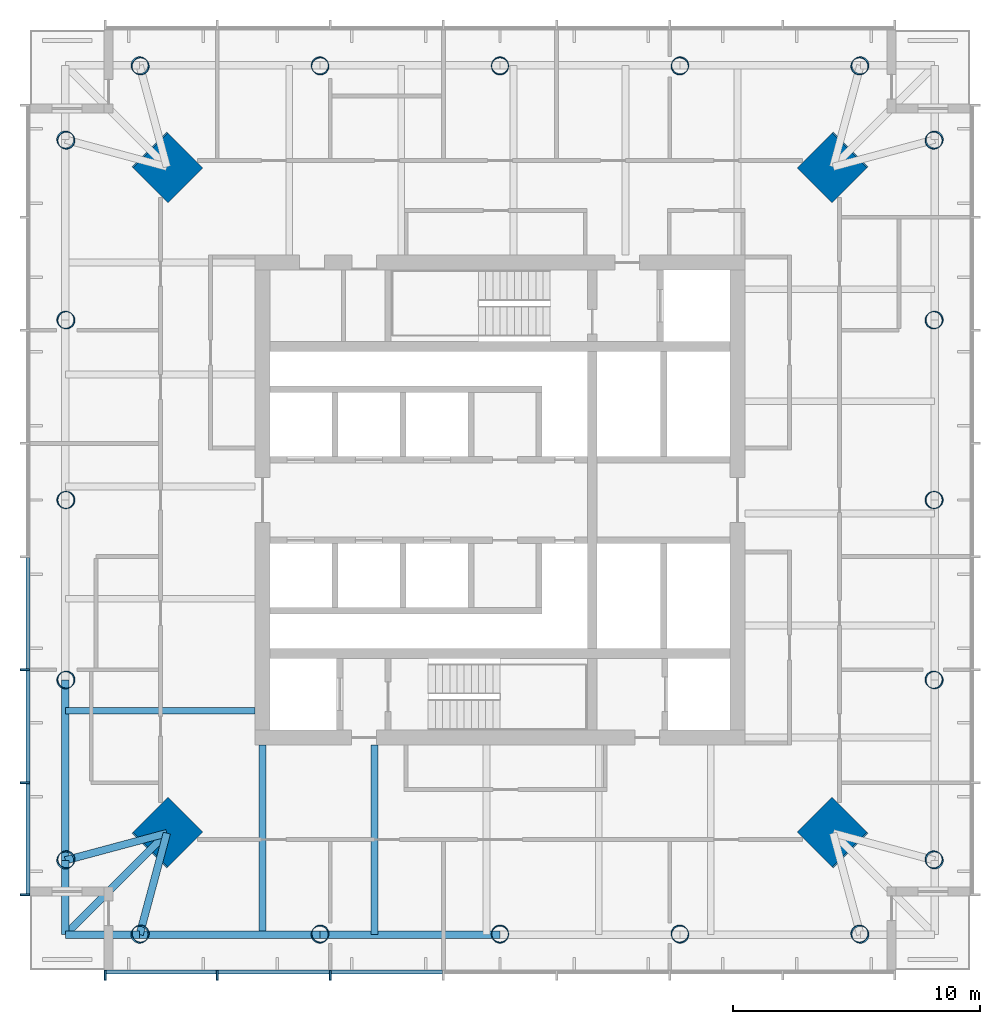
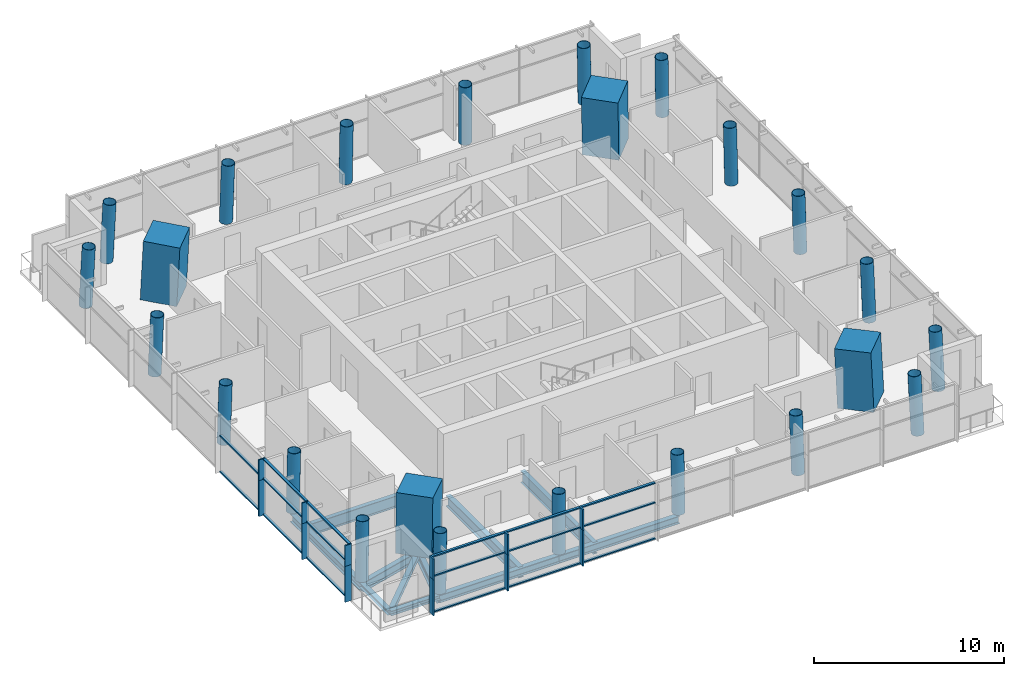
# One storey, part 1 of 10: 29 members, 24 columns, 11 beams, 4 elements without a shape of their own.
"""IFC4 building model written with IfcOpenShell, lengths in metres."""

from ifc_helpers import new_model, si_unit, direction, frame, origin, origin_2d, place, context, subcontext, project, spatial, rectangle, hollow_circle, i_section, extrude, material, material_profile, profile_set, type_object, element, aggregate, save


model = new_model("IFC4")

# Units and contexts
model_context = context("Model", 3, precision=1e-05, world=origin(), true_north=direction((0.0, 1.0)))
body_context = subcontext(model_context, "Body", "Model", "MODEL_VIEW")
ifc_project = project(units=[si_unit("LENGTHUNIT", "METRE"), si_unit("AREAUNIT", "SQUARE_METRE"), si_unit("VOLUMEUNIT", "CUBIC_METRE"), si_unit("PLANEANGLEUNIT", "RADIAN"), si_unit("MASSUNIT", "GRAM", prefix="KILO")], contexts=[model_context])

# Site, building, storey
site_placement = place(None, origin())
site = spatial("IfcSite", under=ifc_project, at=site_placement, CompositionType="ELEMENT")
building_placement = place(site_placement, origin())
building = spatial("IfcBuilding", under=site, at=building_placement, Name="Ostroluk Exchange", CompositionType="ELEMENT")
storey_placement = place(building_placement, frame((0.0, 0.0, 222.39990234375)))
storey = spatial("IfcBuildingStorey", under=building, at=storey_placement, Name="L57", CompositionType="ELEMENT", Elevation=222.39990234375)

# Columns
ifc_material_1 = material(Name="Concrete C50/60", Category="concrete")
ifc_material_profile_1 = material_profile(ifc_material_1, rectangle(XDim=2.0, YDim=2.0, at=origin_2d()), Name="RC 2000x2000")
ifc_profile_set_1 = profile_set([ifc_material_profile_1], Name="Concrete C50/60")
column_type_1 = type_object("IfcColumnType", Name="Mega column RC 2000x2000", PredefinedType="COLUMN", material=ifc_profile_set_1)
for number, where, z_axis, x_axis, name in (
    (1, (58.46435546875, 59.46435546875, 0.0), (-0.031962158256, -0.031962158256, 0.998977898093), (0.707106781187, -0.707106781187, 0.0), "T1 mega column NE"),
    (2, (31.53564453125, 59.46435546875, 0.0), (0.031962158256, -0.031962158256, 0.998977898093), (0.707106781187, 0.707106781187, 0.0), "T1 mega column NW"),
    (3, (31.53564453125, 32.53564453125, 0.0), (0.031962158256, 0.031962158256, 0.998977898093), (-0.707106781187, 0.707106781187, 0.0), "T1 mega column SW"),
    (4, (58.46435546875, 32.53564453125, 0.0), (-0.031962158256, 0.031962158256, 0.998977898093), (-0.707106781187, -0.707106781187, 0.0), "T1 mega column SE"),
):
    element("IfcColumn", number, at=place(storey_placement, frame(where, z_axis=z_axis, x_axis=x_axis)), inside=storey, type_object=column_type_1, Name=name, PredefinedType="COLUMN", context=body_context, shape_type="SweptSolid", body=[
        extrude(rectangle(XDim=2.0, YDim=2.0, at=origin_2d()), origin(), (0.0, 0.0, 1.0), 3.803955078125),
    ])
ifc_material_2 = material(Name="Steel S460", Category="steel")
ifc_material_profile_2 = material_profile(ifc_material_2, hollow_circle(Radius=0.35546875, WallThickness=0.02490234375, at=origin_2d()), Name="CHS 711x25")
ifc_profile_set_2 = profile_set([ifc_material_profile_2], Name="Steel S460")
column_type_2 = type_object("IfcColumnType", Name="Perimeter column CHS 711x25", PredefinedType="COLUMN", material=ifc_profile_set_2)
for number, where, z_axis, x_axis, name in (
    (5, (62.564208984375, 31.435791015625, 0.0), (-0.031898107953, 0.031898107953, 0.998981992539), (-0.707106781187, -0.707106781187, 0.0), "T1 east face column E0"),
    (6, (62.564208984375, 60.564208984375, 0.0), (-0.031898107953, -0.031898107953, 0.998981992539), (0.707106781187, -0.707106781187, 0.0), "T1 east face column E1"),
):
    element("IfcColumn", number, at=place(storey_placement, frame(where, z_axis=z_axis, x_axis=x_axis)), inside=storey, type_object=column_type_2, Name=name, PredefinedType="COLUMN", context=body_context, shape_type="SweptSolid", body=[
        extrude(hollow_circle(Radius=0.35546875, WallThickness=0.02490234375, at=origin_2d()), origin(), (0.0, 0.0, 1.0), 3.803955078125),
    ])
column_1_placement = place(storey_placement, frame((62.564208984375, 38.7177734375, 0.0), z_axis=(-0.031910269556, 0.015987237665, 0.999362868496), x_axis=(-0.447933021895, -0.894067115991, 0.0)))
element("IfcColumn", 7, at=column_1_placement, inside=storey, type_object=column_type_2, Name="T1 east face column I1", PredefinedType="COLUMN", context=body_context, shape_type="SweptSolid", body=[
    extrude(hollow_circle(Radius=0.35546875, WallThickness=0.02490234375, at=origin_2d()), origin(), (0.0, 0.0, 1.0), 3.802490234375),
])
column_2_placement = place(storey_placement, frame((62.564208984375, 46.0, 0.0), z_axis=(-0.031914348339, 0.0, 0.999490607445), x_axis=(0.0, -1.0, 0.0)))
element("IfcColumn", 8, at=column_2_placement, inside=storey, type_object=column_type_2, Name="T1 east face column I2", PredefinedType="COLUMN", context=body_context, shape_type="SweptSolid", body=[
    extrude(hollow_circle(Radius=0.35546875, WallThickness=0.02490234375, at=origin_2d()), origin(), (0.0, 0.0, 1.0), 3.802001953125),
])
column_3_placement = place(storey_placement, frame((62.564208984375, 53.2822265625, 0.0), z_axis=(-0.031910269556, -0.015987237665, 0.999362868496), x_axis=(0.447933021895, -0.894067115991, 0.0)))
element("IfcColumn", 9, at=column_3_placement, inside=storey, type_object=column_type_2, Name="T1 east face column I3", PredefinedType="COLUMN", context=body_context, shape_type="SweptSolid", body=[
    extrude(hollow_circle(Radius=0.35546875, WallThickness=0.02490234375, at=origin_2d()), origin(), (0.0, 0.0, 1.0), 3.802490234375),
])
for number, where, z_axis, x_axis, name in (
    (10, (59.564208984375, 63.564208984375, 0.0), (-0.031898107953, -0.031898107953, 0.998981992539), (0.707106781187, -0.707106781187, 0.0), "T1 north face column E0"),
    (11, (30.435791015625, 63.564208984375, 0.0), (0.031898107953, -0.031898107953, 0.998981992539), (0.707106781187, 0.707106781187, 0.0), "T1 north face column E1"),
):
    element("IfcColumn", number, at=place(storey_placement, frame(where, z_axis=z_axis, x_axis=x_axis)), inside=storey, type_object=column_type_2, Name=name, PredefinedType="COLUMN", context=body_context, shape_type="SweptSolid", body=[
        extrude(hollow_circle(Radius=0.35546875, WallThickness=0.02490234375, at=origin_2d()), origin(), (0.0, 0.0, 1.0), 3.803955078125),
    ])
column_4_placement = place(storey_placement, frame((52.2822265625, 63.564208984375, 0.0), z_axis=(-0.015987237665, -0.031910269556, 0.999362868496), x_axis=(0.894067115991, -0.447933021895, 0.0)))
element("IfcColumn", 12, at=column_4_placement, inside=storey, type_object=column_type_2, Name="T1 north face column I1", PredefinedType="COLUMN", context=body_context, shape_type="SweptSolid", body=[
    extrude(hollow_circle(Radius=0.35546875, WallThickness=0.02490234375, at=origin_2d()), origin(), (0.0, 0.0, 1.0), 3.802490234375),
])
column_5_placement = place(storey_placement, frame((45.0, 63.564208984375, 0.0), z_axis=(0.0, -0.031914348339, 0.999490607445), x_axis=(1.0, 0.0, 0.0)))
element("IfcColumn", 13, at=column_5_placement, inside=storey, type_object=column_type_2, Name="T1 north face column I2", PredefinedType="COLUMN", context=body_context, shape_type="SweptSolid", body=[
    extrude(hollow_circle(Radius=0.35546875, WallThickness=0.02490234375, at=origin_2d()), origin(), (0.0, 0.0, 1.0), 3.802001953125),
])
column_6_placement = place(storey_placement, frame((37.7177734375, 63.564208984375, 0.0), z_axis=(0.015987237665, -0.031910269556, 0.999362868496), x_axis=(0.894067115991, 0.447933021895, 0.0)))
element("IfcColumn", 14, at=column_6_placement, inside=storey, type_object=column_type_2, Name="T1 north face column I3", PredefinedType="COLUMN", context=body_context, shape_type="SweptSolid", body=[
    extrude(hollow_circle(Radius=0.35546875, WallThickness=0.02490234375, at=origin_2d()), origin(), (0.0, 0.0, 1.0), 3.802490234375),
])
for number, where, z_axis, x_axis, name in (
    (15, (27.435791015625, 60.564208984375, 0.0), (0.031898107953, -0.031898107953, 0.998981992539), (0.707106781187, 0.707106781187, 0.0), "T1 west face column E0"),
    (16, (27.435791015625, 31.435791015625, 0.0), (0.031898107953, 0.031898107953, 0.998981992539), (-0.707106781187, 0.707106781187, 0.0), "T1 west face column E1"),
):
    element("IfcColumn", number, at=place(storey_placement, frame(where, z_axis=z_axis, x_axis=x_axis)), inside=storey, type_object=column_type_2, Name=name, PredefinedType="COLUMN", context=body_context, shape_type="SweptSolid", body=[
        extrude(hollow_circle(Radius=0.35546875, WallThickness=0.02490234375, at=origin_2d()), origin(), (0.0, 0.0, 1.0), 3.803955078125),
    ])
column_7_placement = place(storey_placement, frame((27.435791015625, 53.2822265625, 0.0), z_axis=(0.031910269556, -0.015987237665, 0.999362868496), x_axis=(0.447933021895, 0.894067115991, 0.0)))
element("IfcColumn", 17, at=column_7_placement, inside=storey, type_object=column_type_2, Name="T1 west face column I1", PredefinedType="COLUMN", context=body_context, shape_type="SweptSolid", body=[
    extrude(hollow_circle(Radius=0.35546875, WallThickness=0.02490234375, at=origin_2d()), origin(), (0.0, 0.0, 1.0), 3.802490234375),
])
column_8_placement = place(storey_placement, frame((27.435791015625, 46.0, 0.0), z_axis=(0.031914348339, 0.0, 0.999490607445), x_axis=(0.0, 1.0, 0.0)))
element("IfcColumn", 18, at=column_8_placement, inside=storey, type_object=column_type_2, Name="T1 west face column I2", PredefinedType="COLUMN", context=body_context, shape_type="SweptSolid", body=[
    extrude(hollow_circle(Radius=0.35546875, WallThickness=0.02490234375, at=origin_2d()), origin(), (0.0, 0.0, 1.0), 3.802001953125),
])
column_9_placement = place(storey_placement, frame((27.435791015625, 38.7177734375, 0.0), z_axis=(0.031910269556, 0.015987237665, 0.999362868496), x_axis=(-0.447933021895, 0.894067115991, 0.0)))
element("IfcColumn", 19, at=column_9_placement, inside=storey, type_object=column_type_2, Name="T1 west face column I3", PredefinedType="COLUMN", context=body_context, shape_type="SweptSolid", body=[
    extrude(hollow_circle(Radius=0.35546875, WallThickness=0.02490234375, at=origin_2d()), origin(), (0.0, 0.0, 1.0), 3.802490234375),
])
for number, where, z_axis, x_axis, name in (
    (20, (30.435791015625, 28.435791015625, 0.0), (0.031898107953, 0.031898107953, 0.998981992539), (-0.707106781187, 0.707106781187, 0.0), "T1 south face column E0"),
    (21, (59.564208984375, 28.435791015625, 0.0), (-0.031898107953, 0.031898107953, 0.998981992539), (-0.707106781187, -0.707106781187, 0.0), "T1 south face column E1"),
):
    element("IfcColumn", number, at=place(storey_placement, frame(where, z_axis=z_axis, x_axis=x_axis)), inside=storey, type_object=column_type_2, Name=name, PredefinedType="COLUMN", context=body_context, shape_type="SweptSolid", body=[
        extrude(hollow_circle(Radius=0.35546875, WallThickness=0.02490234375, at=origin_2d()), origin(), (0.0, 0.0, 1.0), 3.803955078125),
    ])
column_10_placement = place(storey_placement, frame((37.7177734375, 28.435791015625, 0.0), z_axis=(0.015987237665, 0.031910269556, 0.999362868496), x_axis=(-0.894067115991, 0.447933021895, 0.0)))
element("IfcColumn", 22, at=column_10_placement, inside=storey, type_object=column_type_2, Name="T1 south face column I1", PredefinedType="COLUMN", context=body_context, shape_type="SweptSolid", body=[
    extrude(hollow_circle(Radius=0.35546875, WallThickness=0.02490234375, at=origin_2d()), origin(), (0.0, 0.0, 1.0), 3.802490234375),
])
column_11_placement = place(storey_placement, frame((45.0, 28.435791015625, 0.0), z_axis=(0.0, 0.031914348339, 0.999490607445), x_axis=(-1.0, 0.0, 0.0)))
element("IfcColumn", 23, at=column_11_placement, inside=storey, type_object=column_type_2, Name="T1 south face column I2", PredefinedType="COLUMN", context=body_context, shape_type="SweptSolid", body=[
    extrude(hollow_circle(Radius=0.35546875, WallThickness=0.02490234375, at=origin_2d()), origin(), (0.0, 0.0, 1.0), 3.802001953125),
])
column_12_placement = place(storey_placement, frame((52.2822265625, 28.435791015625, 0.0), z_axis=(-0.015987237665, 0.031910269556, 0.999362868496), x_axis=(-0.894067115991, -0.447933021895, 0.0)))
element("IfcColumn", 24, at=column_12_placement, inside=storey, type_object=column_type_2, Name="T1 south face column I3", PredefinedType="COLUMN", context=body_context, shape_type="SweptSolid", body=[
    extrude(hollow_circle(Radius=0.35546875, WallThickness=0.02490234375, at=origin_2d()), origin(), (0.0, 0.0, 1.0), 3.802490234375),
])

# Beams
ifc_material_3 = material(Name="Steel S355", Category="steel")
ifc_material_profile_3 = material_profile(ifc_material_3, i_section(OverallWidth=0.300048828125, OverallDepth=0.300048828125, WebThickness=0.010986328125, FlangeThickness=0.01904296875, FilletRadius=0.027099609375, at=origin_2d()), Name="HEB 300")
ifc_profile_set_3 = profile_set([ifc_material_profile_3], Name="Steel S355")
beam_type_1 = type_object("IfcBeamType", Name="Balcony beam HEB 300", PredefinedType="BEAM", material=ifc_profile_set_3)
for number, where, z_axis, x_axis, name in (
    (25, (27.435791015625, 31.435791015625, -0.329833984375), (0.0, -1.0, 0.0), (1.0, 0.0, 0.0), "T1 west balcony beam a"),
    (26, (30.435791015625, 28.435791015625, -0.329833984375), (-1.0, 0.0, 0.0), (0.0, -1.0, 0.0), "T1 west balcony beam b"),
):
    element("IfcBeam", number, at=place(storey_placement, frame(where, z_axis=z_axis, x_axis=x_axis)), inside=storey, type_object=beam_type_1, Name=name, PredefinedType="BEAM", context=body_context, shape_type="SweptSolid", body=[
        extrude(i_section(OverallWidth=0.300048828125, OverallDepth=0.300048828125, WebThickness=0.010986328125, FlangeThickness=0.01904296875, FilletRadius=0.027099609375, at=origin_2d()), origin(), (0.0, 0.0, 1.0), 3.0),
    ])
beam_1_placement = place(storey_placement, frame((31.53564453125, 32.53564453125, -0.329833984375), z_axis=(-0.707106781187, -0.707106781187, 0.0), x_axis=(0.707106781187, -0.707106781187, 0.0)))
element("IfcBeam", 27, at=beam_1_placement, inside=storey, type_object=beam_type_1, Name="T1 west balcony beam c", PredefinedType="BEAM", context=body_context, shape_type="SweptSolid", body=[
    extrude(i_section(OverallWidth=0.300048828125, OverallDepth=0.300048828125, WebThickness=0.010986328125, FlangeThickness=0.01904296875, FilletRadius=0.027099609375, at=origin_2d()), origin(), (0.0, 0.0, 1.0), 5.798095703125),
])
ifc_material_4 = material(Name="Steel S355", Category="steel")
ifc_material_profile_4 = material_profile(ifc_material_4, i_section(OverallWidth=0.300048828125, OverallDepth=0.60009765625, WebThickness=0.015380859375, FlangeThickness=0.030029296875, FilletRadius=0.027099609375, at=origin_2d()), Name="HEB 600")
ifc_profile_set_4 = profile_set([ifc_material_profile_4], Name="Steel S355")
beam_type_2 = type_object("IfcBeamType", Name="Corner edge beam HEB 600", PredefinedType="SPANDREL", material=ifc_profile_set_4)
for number, where, z_axis, x_axis, name in (
    (28, (31.53564453125, 32.53564453125, -0.47998046875), (-0.965849156574, -0.259105011038, 0.0), (0.259105011038, -0.965849156574, 0.0), "T1 west corner edge beam a"),
    (29, (31.53564453125, 32.53564453125, -0.47998046875), (-0.259105011038, -0.965849156574, 0.0), (0.965849156574, -0.259105011038, 0.0), "T1 west corner edge beam b"),
):
    element("IfcBeam", number, at=place(storey_placement, frame(where, z_axis=z_axis, x_axis=x_axis)), inside=storey, type_object=beam_type_2, Name=name, PredefinedType="SPANDREL", context=body_context, shape_type="SweptSolid", body=[
        extrude(i_section(OverallWidth=0.300048828125, OverallDepth=0.60009765625, WebThickness=0.015380859375, FlangeThickness=0.030029296875, FilletRadius=0.027099609375, at=origin_2d()), origin(), (0.0, 0.0, 1.0), 4.244873046875),
    ])
ifc_material_5 = material(Name="Steel S355", Category="steel")
ifc_material_profile_5 = material_profile(ifc_material_5, i_section(OverallWidth=0.264892578125, OverallDepth=0.7529296875, WebThickness=0.01318359375, FlangeThickness=0.01708984375, FilletRadius=0.01708984375, at=origin_2d()), Name="IPE 750x147")
ifc_profile_set_5 = profile_set([ifc_material_profile_5], Name="Steel S355")
beam_type_3 = type_object("IfcBeamType", Name="Floor beam IPE 750x147", PredefinedType="BEAM", material=ifc_profile_set_5)
for number, where, z_axis, x_axis, name in (
    (30, (35.10009765625, 37.490478515625, -0.556396484375), (-1.0, 0.0, 0.0), (0.0, -1.0, 0.0), "T1 west floor beam 4"),
    (31, (39.927490234375, 36.10009765625, -0.556396484375), (0.0, -1.0, 0.0), (1.0, 0.0, 0.0), "T1 south floor beam 1"),
):
    element("IfcBeam", number, at=place(storey_placement, frame(where, z_axis=z_axis, x_axis=x_axis)), inside=storey, type_object=beam_type_3, Name=name, PredefinedType="BEAM", context=body_context, shape_type="SweptSolid", body=[
        extrude(i_section(OverallWidth=0.264892578125, OverallDepth=0.7529296875, WebThickness=0.01318359375, FlangeThickness=0.01708984375, FilletRadius=0.01708984375, at=origin_2d()), origin(), (0.0, 0.0, 1.0), 7.664306640625),
    ])
ifc_material_6 = material(Name="Steel S355", Category="steel")
ifc_material_profile_6 = material_profile(ifc_material_6, i_section(OverallWidth=0.300048828125, OverallDepth=0.699951171875, WebThickness=0.01708984375, FlangeThickness=0.031982421875, FilletRadius=0.027099609375, at=origin_2d()), Name="HEB 700")
ifc_profile_set_6 = profile_set([ifc_material_profile_6], Name="Steel S355")
beam_type_4 = type_object("IfcBeamType", Name="Girder HEB 700", PredefinedType="BEAM", material=ifc_profile_set_6)
beam_2_placement = place(storey_placement, frame((35.39990234375, 36.10009765625, -0.52978515625), z_axis=(0.0, -1.0, 0.0), x_axis=(1.0, 0.0, 0.0)))
element("IfcBeam", 32, at=beam_2_placement, inside=storey, type_object=beam_type_4, Name="T1 west girder", PredefinedType="BEAM", context=body_context, shape_type="SweptSolid", body=[
    extrude(i_section(OverallWidth=0.300048828125, OverallDepth=0.699951171875, WebThickness=0.01708984375, FlangeThickness=0.031982421875, FilletRadius=0.027099609375, at=origin_2d()), origin(), (0.0, 0.0, 1.0), 7.664306640625),
])
ifc_material_7 = material(Name="Steel S355", Category="steel")
ifc_material_profile_7 = material_profile(ifc_material_7, i_section(OverallWidth=0.300048828125, OverallDepth=0.5, WebThickness=0.014404296875, FlangeThickness=0.028076171875, FilletRadius=0.027099609375, at=origin_2d()), Name="HEB 500")
ifc_profile_set_7 = profile_set([ifc_material_profile_7], Name="Steel S355")
beam_type_5 = type_object("IfcBeamType", Name="Moment-connected edge beam HEB 500", PredefinedType="SPANDREL", material=ifc_profile_set_7)
for number, where, z_axis, x_axis, name in (
    (33, (27.435791015625, 38.7177734375, -0.429931640625), (0.0, -1.0, 0.0), (1.0, 0.0, 0.0), "T1 west edge beam 4"),
    (34, (30.435791015625, 28.435791015625, -0.429931640625), (1.0, 0.0, 0.0), (0.0, 1.0, 0.0), "T1 south edge beam 1"),
):
    element("IfcBeam", number, at=place(storey_placement, frame(where, z_axis=z_axis, x_axis=x_axis)), inside=storey, type_object=beam_type_5, Name=name, PredefinedType="SPANDREL", context=body_context, shape_type="SweptSolid", body=[
        extrude(i_section(OverallWidth=0.300048828125, OverallDepth=0.5, WebThickness=0.014404296875, FlangeThickness=0.028076171875, FilletRadius=0.027099609375, at=origin_2d()), origin(), (0.0, 0.0, 1.0), 7.281982421875),
    ])
beam_3_placement = place(storey_placement, frame((37.7177734375, 28.435791015625, -0.429931640625), z_axis=(1.0, 0.0, 0.0), x_axis=(0.0, 1.0, 0.0)))
element("IfcBeam", 35, at=beam_3_placement, inside=storey, type_object=beam_type_5, Name="T1 south edge beam 2", PredefinedType="SPANDREL", context=body_context, shape_type="SweptSolid", body=[
    extrude(i_section(OverallWidth=0.300048828125, OverallDepth=0.5, WebThickness=0.014404296875, FlangeThickness=0.028076171875, FilletRadius=0.027099609375, at=origin_2d()), origin(), (0.0, 0.0, 1.0), 7.2822265625),
])

# Curtain wall, members
ifc_material_8 = material(Name="Laminated clear glass", Category="glass")
curtain_wall_type = type_object("IfcCurtainWallType", Name="Office tower facade", PredefinedType="USERDEFINED", material=ifc_material_8)
curtain_wall_1_placement = place(storey_placement, origin())
curtain_wall_1 = element("IfcCurtainWall", 36, at=curtain_wall_1_placement, inside=storey, type_object=curtain_wall_type, Name="Office tower south facade L57", ObjectType="UNITISED CURTAIN WALL", PredefinedType="USERDEFINED")
ifc_material_9 = material(Name="Aluminium mullion", Category="aluminium")
ifc_material_profile_8 = material_profile(ifc_material_9, rectangle(XDim=0.14990234375, YDim=0.080078125, at=origin_2d()), Name="Sill transom 80 x 150")
ifc_profile_set_8 = profile_set([ifc_material_profile_8], Name="Aluminium mullion")
member_type_1 = type_object("IfcMemberType", Name="Sill transom 80 x 150", PredefinedType="USERDEFINED", material=ifc_profile_set_8)
member_1_placement = place(storey_placement, frame((29.080078125, 26.925048828125, 0.0400390625), z_axis=(1.0, 0.0, 0.0), x_axis=(0.0, 1.0, 0.0)))
member_1 = element("IfcMember", 37, at=member_1_placement, type_object=member_type_1, Name="CW-O1 transom 1.1", ObjectType="TRANSOM", PredefinedType="USERDEFINED", context=body_context, shape_type="SweptSolid", body=[
    extrude(rectangle(XDim=0.14990234375, YDim=0.080078125, at=origin_2d()), origin(), (0.0, 0.0, 1.0), 4.451416015625),
])
member_2_placement = place(storey_placement, frame((33.611328125, 26.925048828125, 0.0400390625), z_axis=(1.0, 0.0, 0.0), x_axis=(0.0, 1.0, 0.0)))
member_2 = element("IfcMember", 38, at=member_2_placement, type_object=member_type_1, Name="CW-O1 transom 2.1", ObjectType="TRANSOM", PredefinedType="USERDEFINED", context=body_context, shape_type="SweptSolid", body=[
    extrude(rectangle(XDim=0.14990234375, YDim=0.080078125, at=origin_2d()), origin(), (0.0, 0.0, 1.0), 4.491455078125),
])
member_3_placement = place(storey_placement, frame((38.182861328125, 26.925048828125, 0.0400390625), z_axis=(1.0, 0.0, 0.0), x_axis=(0.0, 1.0, 0.0)))
member_3 = element("IfcMember", 39, at=member_3_placement, type_object=member_type_1, Name="CW-O1 transom 3.1", ObjectType="TRANSOM", PredefinedType="USERDEFINED", context=body_context, shape_type="SweptSolid", body=[
    extrude(rectangle(XDim=0.14990234375, YDim=0.080078125, at=origin_2d()), origin(), (0.0, 0.0, 1.0), 4.491455078125),
])

curtain_wall_2_placement = place(storey_placement, origin())
curtain_wall_2 = element("IfcCurtainWall", 40, at=curtain_wall_2_placement, inside=storey, type_object=curtain_wall_type, Name="Office tower south spandrel L57", ObjectType="UNITISED CURTAIN WALL", PredefinedType="USERDEFINED")
member_4_placement = place(storey_placement, frame((29.080078125, 26.925048828125, 2.353515625), z_axis=(1.0, 0.0, 0.0), x_axis=(0.0, 1.0, 0.0)))
member_4 = element("IfcMember", 41, at=member_4_placement, type_object=member_type_1, Name="CW-O1 transom 1.1", ObjectType="TRANSOM", PredefinedType="USERDEFINED", context=body_context, shape_type="SweptSolid", body=[
    extrude(rectangle(XDim=0.14990234375, YDim=0.080078125, at=origin_2d()), origin(), (0.0, 0.0, 1.0), 4.451416015625),
])
member_5_placement = place(storey_placement, frame((29.080078125, 26.925048828125, 3.610107421875), z_axis=(1.0, 0.0, 0.0), x_axis=(0.0, 1.0, 0.0)))
member_5 = element("IfcMember", 42, at=member_5_placement, type_object=member_type_1, Name="CW-O1 transom 1.2", ObjectType="TRANSOM", PredefinedType="USERDEFINED", context=body_context, shape_type="SweptSolid", body=[
    extrude(rectangle(XDim=0.14990234375, YDim=0.080078125, at=origin_2d()), origin(), (0.0, 0.0, 1.0), 4.451416015625),
])
member_6_placement = place(storey_placement, frame((33.611328125, 26.925048828125, 2.353515625), z_axis=(1.0, 0.0, 0.0), x_axis=(0.0, 1.0, 0.0)))
member_6 = element("IfcMember", 43, at=member_6_placement, type_object=member_type_1, Name="CW-O1 transom 2.1", ObjectType="TRANSOM", PredefinedType="USERDEFINED", context=body_context, shape_type="SweptSolid", body=[
    extrude(rectangle(XDim=0.14990234375, YDim=0.080078125, at=origin_2d()), origin(), (0.0, 0.0, 1.0), 4.491455078125),
])
member_7_placement = place(storey_placement, frame((33.611328125, 26.925048828125, 3.610107421875), z_axis=(1.0, 0.0, 0.0), x_axis=(0.0, 1.0, 0.0)))
member_7 = element("IfcMember", 44, at=member_7_placement, type_object=member_type_1, Name="CW-O1 transom 2.2", ObjectType="TRANSOM", PredefinedType="USERDEFINED", context=body_context, shape_type="SweptSolid", body=[
    extrude(rectangle(XDim=0.14990234375, YDim=0.080078125, at=origin_2d()), origin(), (0.0, 0.0, 1.0), 4.491455078125),
])
member_8_placement = place(storey_placement, frame((38.182861328125, 26.925048828125, 2.353515625), z_axis=(1.0, 0.0, 0.0), x_axis=(0.0, 1.0, 0.0)))
member_8 = element("IfcMember", 45, at=member_8_placement, type_object=member_type_1, Name="CW-O1 transom 3.1", ObjectType="TRANSOM", PredefinedType="USERDEFINED", context=body_context, shape_type="SweptSolid", body=[
    extrude(rectangle(XDim=0.14990234375, YDim=0.080078125, at=origin_2d()), origin(), (0.0, 0.0, 1.0), 4.491455078125),
])
member_9_placement = place(storey_placement, frame((38.182861328125, 26.925048828125, 3.610107421875), z_axis=(1.0, 0.0, 0.0), x_axis=(0.0, 1.0, 0.0)))
member_9 = element("IfcMember", 46, at=member_9_placement, type_object=member_type_1, Name="CW-O1 transom 3.2", ObjectType="TRANSOM", PredefinedType="USERDEFINED", context=body_context, shape_type="SweptSolid", body=[
    extrude(rectangle(XDim=0.14990234375, YDim=0.080078125, at=origin_2d()), origin(), (0.0, 0.0, 1.0), 4.491455078125),
])

curtain_wall_3_placement = place(storey_placement, origin())
curtain_wall_3 = element("IfcCurtainWall", 47, at=curtain_wall_3_placement, inside=storey, type_object=curtain_wall_type, Name="Office tower west facade L57", ObjectType="UNITISED CURTAIN WALL", PredefinedType="USERDEFINED")
member_10_placement = place(storey_placement, frame((25.925048828125, 43.67431640625, 0.0400390625), z_axis=(0.0, -1.0, 0.0), x_axis=(1.0, 0.0, 0.0)))
member_10 = element("IfcMember", 48, at=member_10_placement, type_object=member_type_1, Name="CW-O1 transom 5.1", ObjectType="TRANSOM", PredefinedType="USERDEFINED", context=body_context, shape_type="SweptSolid", body=[
    extrude(rectangle(XDim=0.14990234375, YDim=0.080078125, at=origin_2d()), origin(), (0.0, 0.0, 1.0), 4.491455078125),
])
member_11_placement = place(storey_placement, frame((25.925048828125, 39.102783203125, 0.0400390625), z_axis=(0.0, -1.0, 0.0), x_axis=(1.0, 0.0, 0.0)))
member_11 = element("IfcMember", 49, at=member_11_placement, type_object=member_type_1, Name="CW-O1 transom 6.1", ObjectType="TRANSOM", PredefinedType="USERDEFINED", context=body_context, shape_type="SweptSolid", body=[
    extrude(rectangle(XDim=0.14990234375, YDim=0.080078125, at=origin_2d()), origin(), (0.0, 0.0, 1.0), 4.491455078125),
])
member_12_placement = place(storey_placement, frame((25.925048828125, 34.531494140625, 0.0400390625), z_axis=(0.0, -1.0, 0.0), x_axis=(1.0, 0.0, 0.0)))
member_12 = element("IfcMember", 50, at=member_12_placement, type_object=member_type_1, Name="CW-O1 transom 7.1", ObjectType="TRANSOM", PredefinedType="USERDEFINED", context=body_context, shape_type="SweptSolid", body=[
    extrude(rectangle(XDim=0.14990234375, YDim=0.080078125, at=origin_2d()), origin(), (0.0, 0.0, 1.0), 4.451416015625),
])

curtain_wall_4_placement = place(storey_placement, origin())
curtain_wall_4 = element("IfcCurtainWall", 51, at=curtain_wall_4_placement, inside=storey, type_object=curtain_wall_type, Name="Office tower west spandrel L57", ObjectType="UNITISED CURTAIN WALL", PredefinedType="USERDEFINED")
member_13_placement = place(storey_placement, frame((25.925048828125, 43.67431640625, 2.353515625), z_axis=(0.0, -1.0, 0.0), x_axis=(1.0, 0.0, 0.0)))
member_13 = element("IfcMember", 52, at=member_13_placement, type_object=member_type_1, Name="CW-O1 transom 5.1", ObjectType="TRANSOM", PredefinedType="USERDEFINED", context=body_context, shape_type="SweptSolid", body=[
    extrude(rectangle(XDim=0.14990234375, YDim=0.080078125, at=origin_2d()), origin(), (0.0, 0.0, 1.0), 4.491455078125),
])
member_14_placement = place(storey_placement, frame((25.925048828125, 39.102783203125, 2.353515625), z_axis=(0.0, -1.0, 0.0), x_axis=(1.0, 0.0, 0.0)))
member_14 = element("IfcMember", 53, at=member_14_placement, type_object=member_type_1, Name="CW-O1 transom 6.1", ObjectType="TRANSOM", PredefinedType="USERDEFINED", context=body_context, shape_type="SweptSolid", body=[
    extrude(rectangle(XDim=0.14990234375, YDim=0.080078125, at=origin_2d()), origin(), (0.0, 0.0, 1.0), 4.491455078125),
])
member_15_placement = place(storey_placement, frame((25.925048828125, 39.102783203125, 3.610107421875), z_axis=(0.0, -1.0, 0.0), x_axis=(1.0, 0.0, 0.0)))
member_15 = element("IfcMember", 54, at=member_15_placement, type_object=member_type_1, Name="CW-O1 transom 6.2", ObjectType="TRANSOM", PredefinedType="USERDEFINED", context=body_context, shape_type="SweptSolid", body=[
    extrude(rectangle(XDim=0.14990234375, YDim=0.080078125, at=origin_2d()), origin(), (0.0, 0.0, 1.0), 4.491455078125),
])
member_16_placement = place(storey_placement, frame((25.925048828125, 34.531494140625, 2.353515625), z_axis=(0.0, -1.0, 0.0), x_axis=(1.0, 0.0, 0.0)))
member_16 = element("IfcMember", 55, at=member_16_placement, type_object=member_type_1, Name="CW-O1 transom 7.1", ObjectType="TRANSOM", PredefinedType="USERDEFINED", context=body_context, shape_type="SweptSolid", body=[
    extrude(rectangle(XDim=0.14990234375, YDim=0.080078125, at=origin_2d()), origin(), (0.0, 0.0, 1.0), 4.451416015625),
])
member_17_placement = place(storey_placement, frame((25.925048828125, 34.531494140625, 3.610107421875), z_axis=(0.0, -1.0, 0.0), x_axis=(1.0, 0.0, 0.0)))
member_17 = element("IfcMember", 56, at=member_17_placement, type_object=member_type_1, Name="CW-O1 transom 7.2", ObjectType="TRANSOM", PredefinedType="USERDEFINED", context=body_context, shape_type="SweptSolid", body=[
    extrude(rectangle(XDim=0.14990234375, YDim=0.080078125, at=origin_2d()), origin(), (0.0, 0.0, 1.0), 4.451416015625),
])

# Member
ifc_material_10 = material(Name="Aluminium mullion with limestone facing", Category="masonry")
ifc_material_profile_9 = material_profile(ifc_material_10, rectangle(XDim=0.39990234375, YDim=0.080078125, at=origin_2d()), Name="Tracery mullion 80 x 400")
ifc_profile_set_9 = profile_set([ifc_material_profile_9], Name="Aluminium mullion with limestone facing")
member_type_2 = type_object("IfcMemberType", Name="Tracery mullion 80 x 400", PredefinedType="MULLION", material=ifc_profile_set_9)
member_18_placement = place(storey_placement, frame((29.0400390625, 26.800048828125, 0.0), z_axis=(0.0, 0.0, 1.0), x_axis=(0.0, 1.0, 0.0)))
member_18 = element("IfcMember", 57, at=member_18_placement, type_object=member_type_2, Name="CW-O1 mullion 1", PredefinedType="MULLION", context=body_context, shape_type="SweptSolid", body=[
    extrude(rectangle(XDim=0.39990234375, YDim=0.080078125, at=origin_2d()), origin(), (0.0, 0.0, 1.0), 2.3134765625),
])

member_19_placement = place(storey_placement, frame((33.571533203125, 26.800048828125, 0.0), z_axis=(0.0, 0.0, 1.0), x_axis=(0.0, 1.0, 0.0)))
member_19 = element("IfcMember", 58, at=member_19_placement, type_object=member_type_2, Name="CW-O1 mullion 2", PredefinedType="MULLION", context=body_context, shape_type="SweptSolid", body=[
    extrude(rectangle(XDim=0.39990234375, YDim=0.080078125, at=origin_2d()), origin(), (0.0, 0.0, 1.0), 2.3134765625),
])

member_20_placement = place(storey_placement, frame((38.142822265625, 26.800048828125, 0.0), z_axis=(0.0, 0.0, 1.0), x_axis=(0.0, 1.0, 0.0)))
member_20 = element("IfcMember", 59, at=member_20_placement, type_object=member_type_2, Name="CW-O1 mullion 3", PredefinedType="MULLION", context=body_context, shape_type="SweptSolid", body=[
    extrude(rectangle(XDim=0.39990234375, YDim=0.080078125, at=origin_2d()), origin(), (0.0, 0.0, 1.0), 2.3134765625),
])

aggregate(curtain_wall_1, [member_18, member_19, member_20, member_1, member_2, member_3])

member_21_placement = place(storey_placement, frame((29.0400390625, 26.800048828125, 2.3134765625), z_axis=(0.0, 0.0, 1.0), x_axis=(0.0, 1.0, 0.0)))
member_21 = element("IfcMember", 60, at=member_21_placement, type_object=member_type_2, Name="CW-O1 mullion 1", PredefinedType="MULLION", context=body_context, shape_type="SweptSolid", body=[
    extrude(rectangle(XDim=0.39990234375, YDim=0.080078125, at=origin_2d()), origin(), (0.0, 0.0, 1.0), 1.336669921875),
])

member_22_placement = place(storey_placement, frame((33.571533203125, 26.800048828125, 2.3134765625), z_axis=(0.0, 0.0, 1.0), x_axis=(0.0, 1.0, 0.0)))
member_22 = element("IfcMember", 61, at=member_22_placement, type_object=member_type_2, Name="CW-O1 mullion 2", PredefinedType="MULLION", context=body_context, shape_type="SweptSolid", body=[
    extrude(rectangle(XDim=0.39990234375, YDim=0.080078125, at=origin_2d()), origin(), (0.0, 0.0, 1.0), 1.336669921875),
])

member_23_placement = place(storey_placement, frame((38.142822265625, 26.800048828125, 2.3134765625), z_axis=(0.0, 0.0, 1.0), x_axis=(0.0, 1.0, 0.0)))
member_23 = element("IfcMember", 62, at=member_23_placement, type_object=member_type_2, Name="CW-O1 mullion 3", PredefinedType="MULLION", context=body_context, shape_type="SweptSolid", body=[
    extrude(rectangle(XDim=0.39990234375, YDim=0.080078125, at=origin_2d()), origin(), (0.0, 0.0, 1.0), 1.336669921875),
])

aggregate(curtain_wall_2, [member_21, member_22, member_23, member_4, member_5, member_6, member_7, member_8, member_9])

member_24_placement = place(storey_placement, frame((25.800048828125, 39.142822265625, 0.0), z_axis=(0.0, 0.0, 1.0), x_axis=(1.0, 0.0, 0.0)))
member_24 = element("IfcMember", 63, at=member_24_placement, type_object=member_type_2, Name="CW-O1 mullion 6", PredefinedType="MULLION", context=body_context, shape_type="SweptSolid", body=[
    extrude(rectangle(XDim=0.39990234375, YDim=0.080078125, at=origin_2d()), origin(), (0.0, 0.0, 1.0), 2.3134765625),
])

member_25_placement = place(storey_placement, frame((25.800048828125, 34.571533203125, 0.0), z_axis=(0.0, 0.0, 1.0), x_axis=(1.0, 0.0, 0.0)))
member_25 = element("IfcMember", 64, at=member_25_placement, type_object=member_type_2, Name="CW-O1 mullion 7", PredefinedType="MULLION", context=body_context, shape_type="SweptSolid", body=[
    extrude(rectangle(XDim=0.39990234375, YDim=0.080078125, at=origin_2d()), origin(), (0.0, 0.0, 1.0), 2.3134765625),
])

member_26_placement = place(storey_placement, frame((25.800048828125, 30.0400390625, 0.0), z_axis=(0.0, 0.0, 1.0), x_axis=(1.0, 0.0, 0.0)))
member_26 = element("IfcMember", 65, at=member_26_placement, type_object=member_type_2, Name="CW-O1 mullion 8", PredefinedType="MULLION", context=body_context, shape_type="SweptSolid", body=[
    extrude(rectangle(XDim=0.39990234375, YDim=0.080078125, at=origin_2d()), origin(), (0.0, 0.0, 1.0), 2.3134765625),
])

aggregate(curtain_wall_3, [member_24, member_25, member_26, member_10, member_11, member_12])

member_27_placement = place(storey_placement, frame((25.800048828125, 39.142822265625, 2.3134765625), z_axis=(0.0, 0.0, 1.0), x_axis=(1.0, 0.0, 0.0)))
member_27 = element("IfcMember", 66, at=member_27_placement, type_object=member_type_2, Name="CW-O1 mullion 6", PredefinedType="MULLION", context=body_context, shape_type="SweptSolid", body=[
    extrude(rectangle(XDim=0.39990234375, YDim=0.080078125, at=origin_2d()), origin(), (0.0, 0.0, 1.0), 1.336669921875),
])

member_28_placement = place(storey_placement, frame((25.800048828125, 34.571533203125, 2.3134765625), z_axis=(0.0, 0.0, 1.0), x_axis=(1.0, 0.0, 0.0)))
member_28 = element("IfcMember", 67, at=member_28_placement, type_object=member_type_2, Name="CW-O1 mullion 7", PredefinedType="MULLION", context=body_context, shape_type="SweptSolid", body=[
    extrude(rectangle(XDim=0.39990234375, YDim=0.080078125, at=origin_2d()), origin(), (0.0, 0.0, 1.0), 1.336669921875),
])

member_29_placement = place(storey_placement, frame((25.800048828125, 30.0400390625, 2.3134765625), z_axis=(0.0, 0.0, 1.0), x_axis=(1.0, 0.0, 0.0)))
member_29 = element("IfcMember", 68, at=member_29_placement, type_object=member_type_2, Name="CW-O1 mullion 8", PredefinedType="MULLION", context=body_context, shape_type="SweptSolid", body=[
    extrude(rectangle(XDim=0.39990234375, YDim=0.080078125, at=origin_2d()), origin(), (0.0, 0.0, 1.0), 1.336669921875),
])

aggregate(curtain_wall_4, [member_27, member_28, member_29, member_13, member_14, member_15, member_16, member_17])

save(model, "model.ifc")
